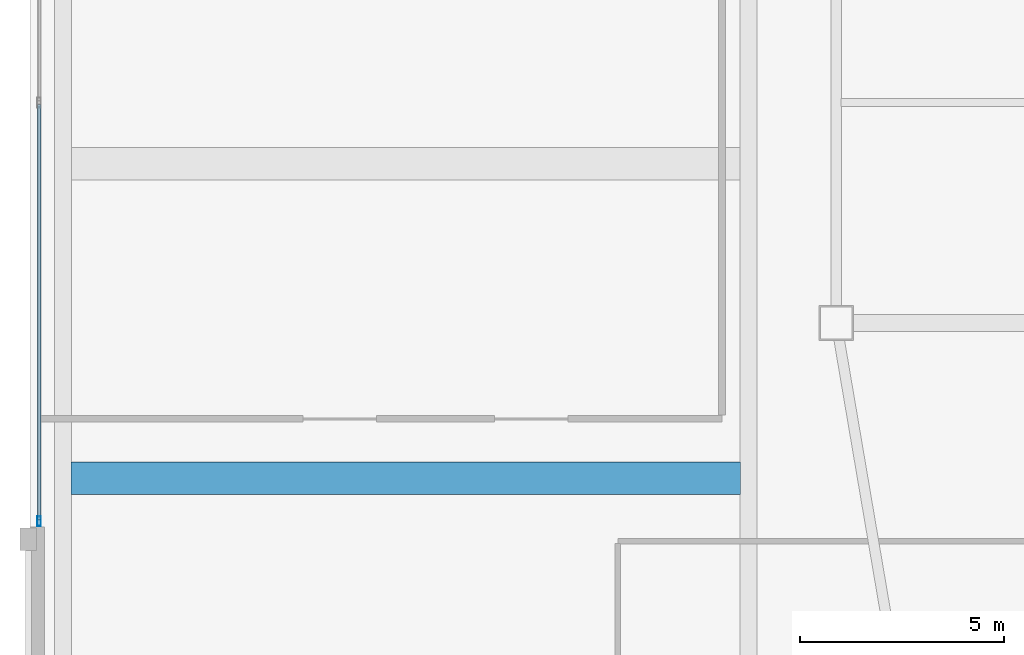
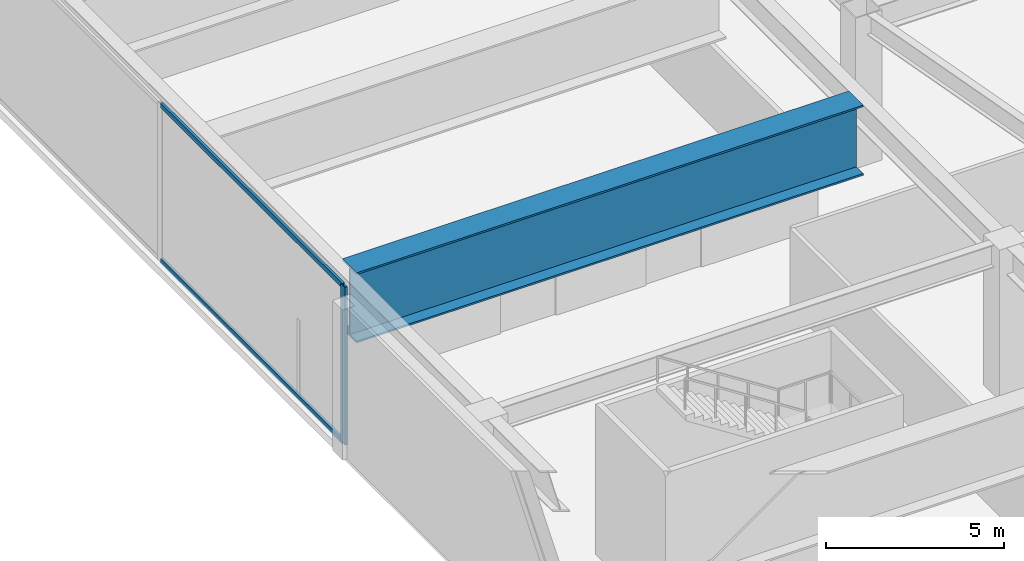
# One storey, part 8 of 48: 3 members, 1 beam, 1 element without a shape of its own.
"""IFC4 building model written with IfcOpenShell, lengths in metres."""

from ifc_helpers import new_model, si_unit, direction, frame, origin, origin_2d, place, context, subcontext, project, spatial, hollow_rectangle, i_section, extrude, material, material_profile, profile_set, type_object, element, aggregate, save


model = new_model("IFC4")

# Units and contexts
model_context = context("Model", 3, precision=1e-05, world=origin(), true_north=direction((0.0, 1.0)))
body_context = subcontext(model_context, "Body", "Model", "MODEL_VIEW")
ifc_project = project(units=[si_unit("LENGTHUNIT", "METRE"), si_unit("AREAUNIT", "SQUARE_METRE"), si_unit("VOLUMEUNIT", "CUBIC_METRE"), si_unit("PLANEANGLEUNIT", "RADIAN"), si_unit("MASSUNIT", "GRAM", prefix="KILO")], contexts=[model_context])

# Site, building, storey
site_placement = place(None, origin())
site = spatial("IfcSite", under=ifc_project, at=site_placement, CompositionType="ELEMENT")
building_placement = place(site_placement, origin())
building = spatial("IfcBuilding", under=site, at=building_placement, Name="Tashvorn Skyway Center", CompositionType="ELEMENT")
storey_placement = place(building_placement, frame((0.0, 0.0, 10.199951171875)))
storey = spatial("IfcBuildingStorey", under=building, at=storey_placement, Name="L02", CompositionType="ELEMENT", Elevation=10.199951171875)

# Beam
ifc_material_1 = material(Name="Steel ASTM A572 Grade 50", Category="steel")
ifc_material_profile_1 = material_profile(ifc_material_1, i_section(OverallWidth=0.800048828125, OverallDepth=2.39990234375, WebThickness=0.035888671875, FlangeThickness=0.06005859375, at=origin_2d()), Name="PG2400x800")
ifc_profile_set_1 = profile_set([ifc_material_profile_1], Name="Steel ASTM A572 Grade 50")
beam_type = type_object("IfcBeamType", Name="BM-BEAM-PG2400x800", PredefinedType="BEAM", material=ifc_profile_set_1)
beam_placement = place(storey_placement, frame((1.00146484375, 22.800048828125, 3.93994140625), z_axis=(1.0, 0.0, 0.0), x_axis=(0.0, 1.0, 0.0)))
element("IfcBeam", 1, at=beam_placement, inside=storey, type_object=beam_type, Name="L02 West Auditorium Span Girder 04", PredefinedType="BEAM", context=body_context, shape_type="SweptSolid", body=[
    extrude(i_section(OverallWidth=0.800048828125, OverallDepth=2.39990234375, WebThickness=0.035888671875, FlangeThickness=0.06005859375, at=origin_2d()), origin(), (0.0, 0.0, 1.0), 16.39697265625),
])

# Curtain wall, members
ifc_material_2 = material(Name="Thermally broken bronze-anodized aluminium 6063-T6", Category="aluminium")
curtain_wall_type = type_object("IfcCurtainWallType", Name="CW-CW-Z1", PredefinedType="NOTDEFINED", material=ifc_material_2)
curtain_wall_placement = place(storey_placement, origin())
curtain_wall = element("IfcCurtainWall", 2, at=curtain_wall_placement, inside=storey, type_object=curtain_wall_type, Name="L02 West Station Hall Portal Curtain Wall", PredefinedType="NOTDEFINED")
ifc_material_profile_2 = material_profile(ifc_material_2, hollow_rectangle(XDim=0.0849609375, YDim=0.239990234375, WallThickness=0.0048828125, at=origin_2d()), Name="ALU-MULL-85x240")
ifc_profile_set_2 = profile_set([ifc_material_profile_2], Name="Thermally broken bronze-anodized aluminium 6063-T6")
member_type_1 = type_object("IfcMemberType", Name="CWM-CW-Z1", PredefinedType="MULLION", material=ifc_profile_set_2)
member_1_placement = place(storey_placement, frame((0.219970703125, 21.742431640625, 0.0), z_axis=(0.0, 0.0, 1.0), x_axis=(-1.0, 0.0, 0.0)))
member_1 = element("IfcMember", 3, at=member_1_placement, type_object=member_type_1, Name="CW-Z1 mullion 1", PredefinedType="MULLION", context=body_context, shape_type="SweptSolid", body=[
    extrude(hollow_rectangle(XDim=0.0849609375, YDim=0.239990234375, WallThickness=0.0048828125, at=origin_2d()), origin(), (0.0, 0.0, 1.0), 5.400146484375),
])
ifc_material_profile_3 = material_profile(ifc_material_2, hollow_rectangle(XDim=0.0849609375, YDim=0.1650390625, WallThickness=0.0048828125, at=origin_2d()), Name="ALU-TRAN-85x165")
ifc_profile_set_3 = profile_set([ifc_material_profile_3], Name="Thermally broken bronze-anodized aluminium 6063-T6")
member_type_2 = type_object("IfcMemberType", Name="CWT-CW-Z1", PredefinedType="USERDEFINED", material=ifc_profile_set_3)
member_2_placement = place(storey_placement, frame((0.219970703125, 21.784912109375, 0.04248046875), z_axis=(0.0, 1.0, 0.0), x_axis=(-1.0, 0.0, 0.0)))
member_2 = element("IfcMember", 4, at=member_2_placement, type_object=member_type_2, Name="CW-Z1 transom 1.1", ObjectType="TRANSOM", PredefinedType="USERDEFINED", context=body_context, shape_type="SweptSolid", body=[
    extrude(hollow_rectangle(XDim=0.0849609375, YDim=0.1650390625, WallThickness=0.0048828125, at=origin_2d()), origin(), (0.0, 0.0, 1.0), 10.172607421875),
])
member_3_placement = place(storey_placement, frame((0.219970703125, 21.784912109375, 5.357666015625), z_axis=(0.0, 1.0, 0.0), x_axis=(-1.0, 0.0, 0.0)))
member_3 = element("IfcMember", 5, at=member_3_placement, type_object=member_type_2, Name="CW-Z1 transom 1.2", ObjectType="TRANSOM", PredefinedType="USERDEFINED", context=body_context, shape_type="SweptSolid", body=[
    extrude(hollow_rectangle(XDim=0.0849609375, YDim=0.1650390625, WallThickness=0.0048828125, at=origin_2d()), origin(), (0.0, 0.0, 1.0), 10.172607421875),
])
aggregate(curtain_wall, [member_1, member_2, member_3])

save(model, "model.ifc")
